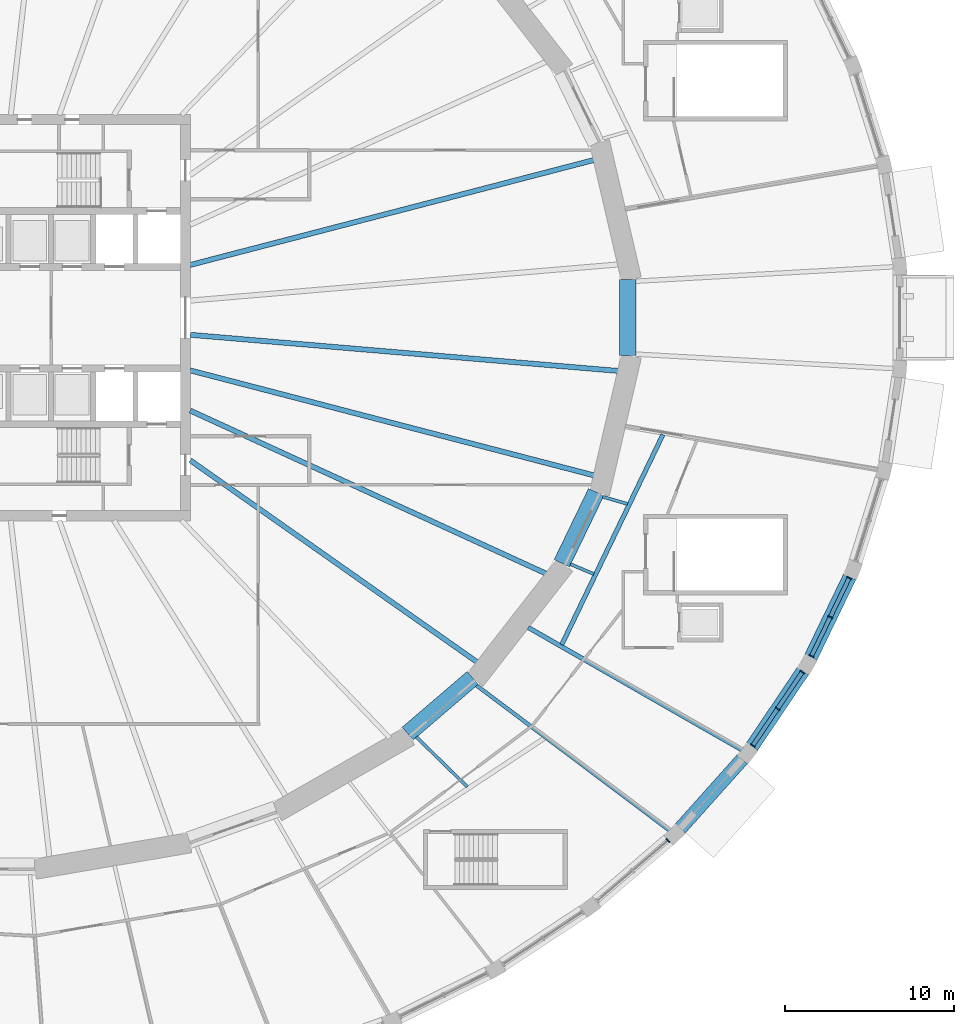
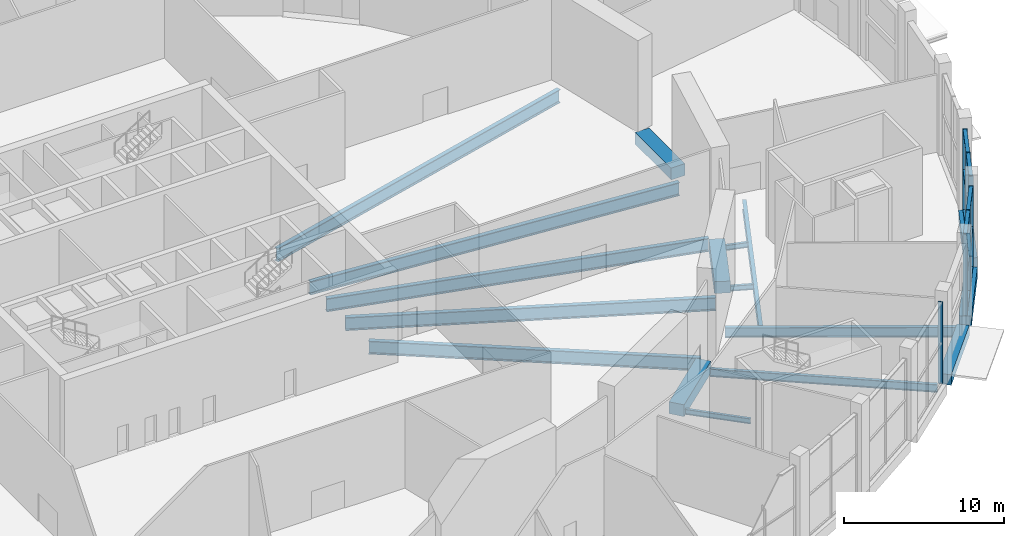
# One storey, part 8 of 33: 19 members, 17 beams, 3 elements without a shape of their own.
"""IFC4 building model written with IfcOpenShell, lengths in metres."""

from ifc_helpers import new_model, si_unit, direction, frame, origin, origin_2d, place, context, subcontext, project, spatial, rectangle, i_section, extrude, material, material_profile, profile_set, type_object, element, aggregate, save


model = new_model("IFC4")

# Units and contexts
model_context = context("Model", 3, precision=1e-05, world=origin(), true_north=direction((0.0, 1.0)))
body_context = subcontext(model_context, "Body", "Model", "MODEL_VIEW")
ifc_project = project(units=[si_unit("LENGTHUNIT", "METRE"), si_unit("AREAUNIT", "SQUARE_METRE"), si_unit("VOLUMEUNIT", "CUBIC_METRE"), si_unit("PLANEANGLEUNIT", "RADIAN"), si_unit("MASSUNIT", "GRAM", prefix="KILO")], contexts=[model_context])

# Site, building, storey
site_placement = place(None, origin())
site = spatial("IfcSite", under=ifc_project, at=site_placement, CompositionType="ELEMENT")
building_placement = place(site_placement, origin())
building = spatial("IfcBuilding", under=site, at=building_placement, Name="Halqa Exchange Tower", CompositionType="ELEMENT")
storey_placement = place(building_placement, origin())
storey = spatial("IfcBuildingStorey", under=building, at=storey_placement, Name="L00", CompositionType="ELEMENT", Elevation=0.0)

# Beams
ifc_material_1 = material(Name="Steel S355", Category="steel")
ifc_material_profile_1 = material_profile(ifc_material_1, i_section(OverallWidth=0.300048828125, OverallDepth=1.0, WebThickness=0.01904296875, FlangeThickness=0.035888671875, FilletRadius=0.030029296875, at=origin_2d()), Name="HEB 1000")
ifc_profile_set_1 = profile_set([ifc_material_profile_1], Name="Steel S355")
beam_type_1 = type_object("IfcBeamType", Name="Floor beam HEB 1000", PredefinedType="BEAM", material=ifc_profile_set_1)
beam_1_placement = place(storey_placement, frame((11.972412109375, -8.421875, -0.949951171875), z_axis=(0.817909911418, -0.575346310325, 0.0), x_axis=(0.575346310325, 0.817909911418, 0.0)))
element("IfcBeam", 1, at=beam_1_placement, inside=storey, type_object=beam_type_1, Name="Radial beam 29", PredefinedType="BEAM", context=body_context, shape_type="SweptSolid", body=[
    extrude(i_section(OverallWidth=0.300048828125, OverallDepth=1.0, WebThickness=0.01904296875, FlangeThickness=0.035888671875, FilletRadius=0.030029296875, at=origin_2d()), origin(), (0.0, 0.0, 1.0), 20.804443359375),
])
beam_2_placement = place(storey_placement, frame((11.972412109375, -5.485107421875, -0.949951171875), z_axis=(0.909128229117, -0.416516341843, 0.0), x_axis=(0.416516341843, 0.909128229117, 0.0)))
element("IfcBeam", 2, at=beam_2_placement, inside=storey, type_object=beam_type_1, Name="Radial beam 30", PredefinedType="BEAM", context=body_context, shape_type="SweptSolid", body=[
    extrude(i_section(OverallWidth=0.300048828125, OverallDepth=1.0, WebThickness=0.01904296875, FlangeThickness=0.035888671875, FilletRadius=0.030029296875, at=origin_2d()), origin(), (0.0, 0.0, 1.0), 23.209228515625),
])
ifc_material_profile_2 = material_profile(ifc_material_1, i_section(OverallWidth=0.302001953125, OverallDepth=1.008056640625, WebThickness=0.02099609375, FlangeThickness=0.0400390625, FilletRadius=0.030029296875, at=origin_2d()), Name="HEM 1000")
ifc_profile_set_2 = profile_set([ifc_material_profile_2], Name="Steel S355")
beam_type_2 = type_object("IfcBeamType", Name="Floor beam HEM 1000", PredefinedType="BEAM", material=ifc_profile_set_2)
for number, where, z_axis, x_axis, name in (
    (3, (11.971435546875, 3.11279296875, -0.9541015625), (0.967821064299, 0.251639399735, 0.0), (-0.251639399735, 0.967821064299, 0.0), "Radial beam 2"),
    (4, (11.971435546875, -3.11279296875, -0.9541015625), (0.967821064299, -0.251639399735, 0.0), (0.251639399735, 0.967821064299, 0.0), "Radial beam 31"),
):
    element("IfcBeam", number, at=place(storey_placement, frame(where, z_axis=z_axis, x_axis=x_axis)), inside=storey, type_object=beam_type_2, Name=name, PredefinedType="BEAM", context=body_context, shape_type="SweptSolid", body=[
        extrude(i_section(OverallWidth=0.302001953125, OverallDepth=1.008056640625, WebThickness=0.02099609375, FlangeThickness=0.0400390625, FilletRadius=0.030029296875, at=origin_2d()), origin(), (0.0, 0.0, 1.0), 24.7314453125),
    ])
beam_3_placement = place(storey_placement, frame((11.972412109375, -1.0107421875, -0.9541015625), z_axis=(0.996455167327, -0.084125498561, 0.0), x_axis=(0.084125498561, 0.996455167327, 0.0)))
element("IfcBeam", 5, at=beam_3_placement, inside=storey, type_object=beam_type_2, Name="Radial beam 32", PredefinedType="BEAM", context=body_context, shape_type="SweptSolid", body=[
    extrude(i_section(OverallWidth=0.302001953125, OverallDepth=1.008056640625, WebThickness=0.02099609375, FlangeThickness=0.0400390625, FilletRadius=0.030029296875, at=origin_2d()), origin(), (0.0, 0.0, 1.0), 25.460205078125),
])
ifc_material_profile_3 = material_profile(ifc_material_1, i_section(OverallWidth=0.179931640625, OverallDepth=0.39990234375, WebThickness=0.008544921875, FlangeThickness=0.013427734375, FilletRadius=0.02099609375, at=origin_2d()), Name="IPE 400")
ifc_profile_set_3 = profile_set([ifc_material_profile_3], Name="Steel S355")
beam_type_3 = type_object("IfcBeamType", Name="Floor beam IPE 400", PredefinedType="BEAM", material=ifc_profile_set_3)
beam_4_placement = place(storey_placement, frame((34.423583984375, -14.555419921875, -0.64990234375), z_axis=(0.921076708702, -0.389381171459, 0.0), x_axis=(0.389381171459, 0.921076708702, 0.0)))
element("IfcBeam", 6, at=beam_4_placement, inside=storey, type_object=beam_type_3, Name="Radial beam 45a", PredefinedType="BEAM", context=body_context, shape_type="SweptSolid", body=[
    extrude(i_section(OverallWidth=0.179931640625, OverallDepth=0.39990234375, WebThickness=0.008544921875, FlangeThickness=0.013427734375, FilletRadius=0.02099609375, at=origin_2d()), origin(), (0.0, 0.0, 1.0), 1.5078125),
])
beam_5_placement = place(storey_placement, frame((36.34521484375, -10.578369140625, -0.64990234375), z_axis=(0.960174163417, -0.279402175917, 0.0), x_axis=(0.279402175917, 0.960174163417, 0.0)))
element("IfcBeam", 7, at=beam_5_placement, inside=storey, type_object=beam_type_3, Name="Radial beam 46a", PredefinedType="BEAM", context=body_context, shape_type="SweptSolid", body=[
    extrude(i_section(OverallWidth=0.179931640625, OverallDepth=0.39990234375, WebThickness=0.008544921875, FlangeThickness=0.013427734375, FilletRadius=0.02099609375, at=origin_2d()), origin(), (0.0, 0.0, 1.0), 1.521240234375),
])
beam_6_placement = place(storey_placement, frame((25.322265625, -24.757080078125, -0.64990234375), z_axis=(0.715007310884, -0.699116975464, 0.0), x_axis=(0.699116975464, 0.715007310884, 0.0)))
element("IfcBeam", 8, at=beam_6_placement, inside=storey, type_object=beam_type_3, Name="Radial beam 42a", PredefinedType="BEAM", context=body_context, shape_type="SweptSolid", body=[
    extrude(i_section(OverallWidth=0.179931640625, OverallDepth=0.39990234375, WebThickness=0.008544921875, FlangeThickness=0.013427734375, FilletRadius=0.02099609375, at=origin_2d()), origin(), (0.0, 0.0, 1.0), 4.22509765625),
])
ifc_material_profile_4 = material_profile(ifc_material_1, i_section(OverallWidth=0.219970703125, OverallDepth=0.60009765625, WebThickness=0.011962890625, FlangeThickness=0.01904296875, FilletRadius=0.02392578125, at=origin_2d()), Name="IPE 600")
ifc_profile_set_4 = profile_set([ifc_material_profile_4], Name="Steel S355")
beam_type_4 = type_object("IfcBeamType", Name="Floor beam IPE 600", PredefinedType="BEAM", material=ifc_profile_set_4)
beam_7_placement = place(storey_placement, frame((28.875732421875, -21.71240234375, -0.75), z_axis=(0.799257291391, -0.600989003359, 0.0), x_axis=(0.600989003359, 0.799257291391, 0.0)))
element("IfcBeam", 9, at=beam_7_placement, inside=storey, type_object=beam_type_4, Name="Radial beam 43", PredefinedType="BEAM", context=body_context, shape_type="SweptSolid", body=[
    extrude(i_section(OverallWidth=0.219970703125, OverallDepth=0.60009765625, WebThickness=0.011962890625, FlangeThickness=0.01904296875, FilletRadius=0.02392578125, at=origin_2d()), origin(), (0.0, 0.0, 1.0), 14.291259765625),
])
ifc_material_profile_5 = material_profile(ifc_material_1, i_section(OverallWidth=0.264892578125, OverallDepth=0.7529296875, WebThickness=0.01318359375, FlangeThickness=0.01708984375, FilletRadius=0.01708984375, at=origin_2d()), Name="IPE 750x147")
ifc_profile_set_5 = profile_set([ifc_material_profile_5], Name="Steel S355")
beam_type_5 = type_object("IfcBeamType", Name="Floor beam IPE 750x147", PredefinedType="BEAM", material=ifc_profile_set_5)
beam_8_placement = place(storey_placement, frame((31.942626953125, -18.300048828125, -0.826416015625), z_axis=(0.867691436398, -0.497103179633, 0.0), x_axis=(0.497103179633, 0.867691436398, 0.0)))
element("IfcBeam", 10, at=beam_8_placement, inside=storey, type_object=beam_type_5, Name="Radial beam 44", PredefinedType="BEAM", context=body_context, shape_type="SweptSolid", body=[
    extrude(i_section(OverallWidth=0.264892578125, OverallDepth=0.7529296875, WebThickness=0.01318359375, FlangeThickness=0.01708984375, FilletRadius=0.01708984375, at=origin_2d()), origin(), (0.0, 0.0, 1.0), 14.555908203125),
])
beam_9_placement = place(storey_placement, frame((33.92041015625, -19.3134765625, -0.826416015625), z_axis=(0.433856142987, 0.900982156978, 0.0), x_axis=(-0.900982156978, 0.433856142987, 0.0)))
element("IfcBeam", 11, at=beam_9_placement, inside=storey, type_object=beam_type_5, Name="Radial beam TSS2-in", PredefinedType="BEAM", context=body_context, shape_type="SweptSolid", body=[
    extrude(i_section(OverallWidth=0.264892578125, OverallDepth=0.7529296875, WebThickness=0.01318359375, FlangeThickness=0.01708984375, FilletRadius=0.01708984375, at=origin_2d()), origin(), (0.0, 0.0, 1.0), 13.766357421875),
])
ifc_material_2 = material(Name="Concrete C60/75", Category="concrete")
ifc_material_profile_6 = material_profile(ifc_material_2, rectangle(XDim=0.800048828125, YDim=0.800048828125, at=origin_2d()), Name="800 x 800")
ifc_profile_set_6 = profile_set([ifc_material_profile_6], Name="Concrete C60/75")
beam_type_6 = type_object("IfcBeamType", Name="RC podium edge beam 800 x 800 C60/75", PredefinedType="SPANDREL", material=ifc_profile_set_6)
beam_10_placement = place(storey_placement, frame((40.914794921875, -30.175048828125, -0.39990234375), z_axis=(0.666902525907, 0.745144966392, 0.0), x_axis=(-0.745144966392, 0.666902525907, 0.0)))
element("IfcBeam", 12, at=beam_10_placement, inside=storey, type_object=beam_type_6, Name="Podium edge beam 43", PredefinedType="SPANDREL", context=body_context, shape_type="SweptSolid", body=[
    extrude(rectangle(XDim=0.800048828125, YDim=0.800048828125, at=origin_2d()), origin(), (0.0, 0.0, 1.0), 5.501220703125),
])
beam_11_placement = place(storey_placement, frame((45.1630859375, -25.331298828125, -0.39990234375), z_axis=(0.558528358221, 0.829485426673, 0.0), x_axis=(-0.829485426673, 0.558528358221, 0.0)))
element("IfcBeam", 13, at=beam_11_placement, inside=storey, type_object=beam_type_6, Name="Podium edge beam 44", PredefinedType="SPANDREL", context=body_context, shape_type="SweptSolid", body=[
    extrude(rectangle(XDim=0.800048828125, YDim=0.800048828125, at=origin_2d()), origin(), (0.0, 0.0, 1.0), 5.378173828125),
])
beam_12_placement = place(storey_placement, frame((48.636962890625, -20.052001953125, -0.39990234375), z_axis=(0.43497328232, 0.9004433595, 0.0), x_axis=(-0.9004433595, 0.43497328232, 0.0)))
element("IfcBeam", 14, at=beam_12_placement, inside=storey, type_object=beam_type_6, Name="Podium edge beam 45", PredefinedType="SPANDREL", context=body_context, shape_type="SweptSolid", body=[
    extrude(rectangle(XDim=0.800048828125, YDim=0.800048828125, at=origin_2d()), origin(), (0.0, 0.0, 1.0), 5.267578125),
])
ifc_material_profile_7 = material_profile(ifc_material_2, rectangle(XDim=1.0, YDim=0.89990234375, at=origin_2d()), Name="1000 x 900")
ifc_profile_set_7 = profile_set([ifc_material_profile_7], Name="Concrete C60/75")
beam_type_7 = type_object("IfcBeamType", Name="RC spandrel beam 1000 x 900 C60/75", PredefinedType="SPANDREL", material=ifc_profile_set_7)
beam_13_placement = place(storey_placement, frame((24.81982421875, -24.56689453125, -0.449951171875), z_axis=(0.759263417999, 0.650783421799, 0.0), x_axis=(-0.650783421799, 0.759263417999, 0.0)))
element("IfcBeam", 15, at=beam_13_placement, inside=storey, type_object=beam_type_7, Name="Spandrel 28", PredefinedType="SPANDREL", context=body_context, shape_type="SweptSolid", body=[
    extrude(rectangle(XDim=1.0, YDim=0.89990234375, at=origin_2d()), origin(), (0.0, 0.0, 1.0), 5.056884765625),
])
beam_14_placement = place(storey_placement, frame((33.923095703125, -14.505615234375, -0.449951171875), z_axis=(0.435068215878, 0.900397494184, 0.0), x_axis=(-0.900397494184, 0.435068215878, 0.0)))
element("IfcBeam", 16, at=beam_14_placement, inside=storey, type_object=beam_type_7, Name="Spandrel 30", PredefinedType="SPANDREL", context=body_context, shape_type="SweptSolid", body=[
    extrude(rectangle(XDim=1.0, YDim=0.89990234375, at=origin_2d()), origin(), (0.0, 0.0, 1.0), 4.6630859375),
])
beam_15_placement = place(storey_placement, frame((37.81689453125, -2.24609375, -0.449951171875), z_axis=(0.0, 1.0, 0.0), x_axis=(-1.0, 0.0, 0.0)))
element("IfcBeam", 17, at=beam_15_placement, inside=storey, type_object=beam_type_7, Name="Spandrel 32", PredefinedType="SPANDREL", context=body_context, shape_type="SweptSolid", body=[
    extrude(rectangle(XDim=1.0, YDim=0.89990234375, at=origin_2d()), origin(), (0.0, 0.0, 1.0), 4.4921875),
])

# Curtain wall, member
ifc_material_3 = material(Name="Anodised aluminium and clear glass", Category="aluminium")
curtain_wall_type = type_object("IfcCurtainWallType", Name="Station concourse glazing", PredefinedType="NOTDEFINED", material=ifc_material_3)
curtain_wall_1_placement = place(storey_placement, origin())
curtain_wall_1 = element("IfcCurtainWall", 18, at=curtain_wall_1_placement, inside=storey, type_object=curtain_wall_type, Name="Station concourse glazing run P42", PredefinedType="NOTDEFINED")
ifc_material_4 = material(Name="Anodised aluminium", Category="aluminium")
ifc_material_profile_8 = material_profile(ifc_material_4, rectangle(XDim=0.300048828125, YDim=0.080078125, at=origin_2d()), Name="AL 80x300")
ifc_profile_set_8 = profile_set([ifc_material_profile_8], Name="Anodised aluminium")
member_type_1 = type_object("IfcMemberType", Name="Station concourse glazing mullion 80 x 300", PredefinedType="MULLION", material=ifc_profile_set_8)
member_1_placement = place(storey_placement, frame((40.189453125, -30.879150390625, 0.0), z_axis=(0.0, 0.0, 1.0), x_axis=(-0.650910929175, 0.759154109704, 0.0)))
member_1 = element("IfcMember", 19, at=member_1_placement, type_object=member_type_1, Name="P42 mullion 3", PredefinedType="MULLION", context=body_context, shape_type="SweptSolid", body=[
    extrude(rectangle(XDim=0.300048828125, YDim=0.080078125, at=origin_2d()), origin(), (0.0, 0.0, 1.0), 6.199951171875),
])
aggregate(curtain_wall_1, [member_1])

# Curtain wall, members
curtain_wall_2_placement = place(storey_placement, origin())
curtain_wall_2 = element("IfcCurtainWall", 20, at=curtain_wall_2_placement, inside=storey, type_object=curtain_wall_type, Name="Station concourse glazing run P44", PredefinedType="NOTDEFINED")
member_2_placement = place(storey_placement, frame((45.200927734375, -25.27490234375, 0.0), z_axis=(0.0, 0.0, 1.0), x_axis=(-0.8294895023, 0.55852230535, 0.0)))
member_2 = element("IfcMember", 21, at=member_2_placement, type_object=member_type_1, Name="P44 mullion 1", PredefinedType="MULLION", context=body_context, shape_type="SweptSolid", body=[
    extrude(rectangle(XDim=0.300048828125, YDim=0.080078125, at=origin_2d()), origin(), (0.0, 0.0, 1.0), 6.199951171875),
])
member_3_placement = place(storey_placement, frame((46.665283203125, -23.100341796875, 0.0), z_axis=(0.0, 0.0, 1.0), x_axis=(-0.8294895023, 0.55852230535, 0.0)))
member_3 = element("IfcMember", 22, at=member_3_placement, type_object=member_type_1, Name="P44 mullion 2", PredefinedType="MULLION", context=body_context, shape_type="SweptSolid", body=[
    extrude(rectangle(XDim=0.300048828125, YDim=0.080078125, at=origin_2d()), origin(), (0.0, 0.0, 1.0), 6.199951171875),
])
member_4_placement = place(storey_placement, frame((48.12939453125, -20.92578125, 0.0), z_axis=(0.0, 0.0, 1.0), x_axis=(-0.8294895023, 0.55852230535, 0.0)))
member_4 = element("IfcMember", 23, at=member_4_placement, type_object=member_type_1, Name="P44 mullion 3", PredefinedType="MULLION", context=body_context, shape_type="SweptSolid", body=[
    extrude(rectangle(XDim=0.300048828125, YDim=0.080078125, at=origin_2d()), origin(), (0.0, 0.0, 1.0), 6.199951171875),
])

curtain_wall_3_placement = place(storey_placement, origin())
curtain_wall_3 = element("IfcCurtainWall", 24, at=curtain_wall_3_placement, inside=storey, type_object=curtain_wall_type, Name="Station concourse glazing run P45", PredefinedType="NOTDEFINED")
member_5_placement = place(storey_placement, frame((48.666015625, -19.99169921875, 0.0), z_axis=(0.0, 0.0, 1.0), x_axis=(-0.90043534892, 0.434989864727, 0.0)))
member_5 = element("IfcMember", 25, at=member_5_placement, type_object=member_type_1, Name="P45 mullion 1", PredefinedType="MULLION", context=body_context, shape_type="SweptSolid", body=[
    extrude(rectangle(XDim=0.300048828125, YDim=0.080078125, at=origin_2d()), origin(), (0.0, 0.0, 1.0), 6.199951171875),
])
member_6_placement = place(storey_placement, frame((49.78271484375, -17.680419921875, 0.0), z_axis=(0.0, 0.0, 1.0), x_axis=(-0.90043534892, 0.434989864727, 0.0)))
member_6 = element("IfcMember", 26, at=member_6_placement, type_object=member_type_1, Name="P45 mullion 2", PredefinedType="MULLION", context=body_context, shape_type="SweptSolid", body=[
    extrude(rectangle(XDim=0.300048828125, YDim=0.080078125, at=origin_2d()), origin(), (0.0, 0.0, 1.0), 6.199951171875),
])
member_7_placement = place(storey_placement, frame((50.8994140625, -15.368896484375, 0.0), z_axis=(0.0, 0.0, 1.0), x_axis=(-0.90043534892, 0.434989864727, 0.0)))
member_7 = element("IfcMember", 27, at=member_7_placement, type_object=member_type_1, Name="P45 mullion 3", PredefinedType="MULLION", context=body_context, shape_type="SweptSolid", body=[
    extrude(rectangle(XDim=0.300048828125, YDim=0.080078125, at=origin_2d()), origin(), (0.0, 0.0, 1.0), 6.199951171875),
])

# Member
ifc_material_profile_9 = material_profile(ifc_material_4, rectangle(XDim=0.25, YDim=0.080078125, at=origin_2d()), Name="AL 80x250")
ifc_profile_set_9 = profile_set([ifc_material_profile_9], Name="Anodised aluminium")
member_type_2 = type_object("IfcMemberType", Name="Station concourse glazing transom 80 x 250", PredefinedType="USERDEFINED", material=ifc_profile_set_9)
member_8_placement = place(storey_placement, frame((45.223388671875, -25.241943359375, 0.0400390625), z_axis=(0.558462812465, 0.829529557697, 0.0), x_axis=(-0.829529557697, 0.558462812465, 0.0)))
member_8 = element("IfcMember", 28, at=member_8_placement, type_object=member_type_2, Name="P44 transom 1.1", ObjectType="TRANSOM", PredefinedType="USERDEFINED", context=body_context, shape_type="SweptSolid", body=[
    extrude(rectangle(XDim=0.25, YDim=0.080078125, at=origin_2d()), origin(), (0.0, 0.0, 1.0), 2.541748046875),
])

member_9_placement = place(storey_placement, frame((45.223388671875, -25.241943359375, 3.10009765625), z_axis=(0.558462812465, 0.829529557697, 0.0), x_axis=(-0.829529557697, 0.558462812465, 0.0)))
member_9 = element("IfcMember", 29, at=member_9_placement, type_object=member_type_2, Name="P44 transom 1.2", ObjectType="TRANSOM", PredefinedType="USERDEFINED", context=body_context, shape_type="SweptSolid", body=[
    extrude(rectangle(XDim=0.25, YDim=0.080078125, at=origin_2d()), origin(), (0.0, 0.0, 1.0), 2.541748046875),
])

member_10_placement = place(storey_placement, frame((45.223388671875, -25.241943359375, 6.159912109375), z_axis=(0.558462812465, 0.829529557697, 0.0), x_axis=(-0.829529557697, 0.558462812465, 0.0)))
member_10 = element("IfcMember", 30, at=member_10_placement, type_object=member_type_2, Name="P44 transom 1.3", ObjectType="TRANSOM", PredefinedType="USERDEFINED", context=body_context, shape_type="SweptSolid", body=[
    extrude(rectangle(XDim=0.25, YDim=0.080078125, at=origin_2d()), origin(), (0.0, 0.0, 1.0), 2.541748046875),
])

member_11_placement = place(storey_placement, frame((46.6875, -23.0673828125, 0.0400390625), z_axis=(0.558528904332, 0.829485058953, 0.0), x_axis=(-0.829485058953, 0.558528904332, 0.0)))
member_11 = element("IfcMember", 31, at=member_11_placement, type_object=member_type_2, Name="P44 transom 2.1", ObjectType="TRANSOM", PredefinedType="USERDEFINED", context=body_context, shape_type="SweptSolid", body=[
    extrude(rectangle(XDim=0.25, YDim=0.080078125, at=origin_2d()), origin(), (0.0, 0.0, 1.0), 2.541748046875),
])

member_12_placement = place(storey_placement, frame((46.6875, -23.0673828125, 3.10009765625), z_axis=(0.558528904332, 0.829485058953, 0.0), x_axis=(-0.829485058953, 0.558528904332, 0.0)))
member_12 = element("IfcMember", 32, at=member_12_placement, type_object=member_type_2, Name="P44 transom 2.2", ObjectType="TRANSOM", PredefinedType="USERDEFINED", context=body_context, shape_type="SweptSolid", body=[
    extrude(rectangle(XDim=0.25, YDim=0.080078125, at=origin_2d()), origin(), (0.0, 0.0, 1.0), 2.541748046875),
])

member_13_placement = place(storey_placement, frame((46.6875, -23.0673828125, 6.159912109375), z_axis=(0.558528904332, 0.829485058953, 0.0), x_axis=(-0.829485058953, 0.558528904332, 0.0)))
member_13 = element("IfcMember", 33, at=member_13_placement, type_object=member_type_2, Name="P44 transom 2.3", ObjectType="TRANSOM", PredefinedType="USERDEFINED", context=body_context, shape_type="SweptSolid", body=[
    extrude(rectangle(XDim=0.25, YDim=0.080078125, at=origin_2d()), origin(), (0.0, 0.0, 1.0), 2.541748046875),
])

aggregate(curtain_wall_2, [member_2, member_3, member_4, member_8, member_9, member_10, member_11, member_12, member_13])

member_14_placement = place(storey_placement, frame((48.683349609375, -19.955810546875, 0.0400390625), z_axis=(0.434960430971, 0.900449567433, 0.0), x_axis=(-0.900449567433, 0.434960430971, 0.0)))
member_14 = element("IfcMember", 34, at=member_14_placement, type_object=member_type_2, Name="P45 transom 1.1", ObjectType="TRANSOM", PredefinedType="USERDEFINED", context=body_context, shape_type="SweptSolid", body=[
    extrude(rectangle(XDim=0.25, YDim=0.080078125, at=origin_2d()), origin(), (0.0, 0.0, 1.0), 2.487060546875),
])

member_15_placement = place(storey_placement, frame((48.683349609375, -19.955810546875, 3.10009765625), z_axis=(0.434960430971, 0.900449567433, 0.0), x_axis=(-0.900449567433, 0.434960430971, 0.0)))
member_15 = element("IfcMember", 35, at=member_15_placement, type_object=member_type_2, Name="P45 transom 1.2", ObjectType="TRANSOM", PredefinedType="USERDEFINED", context=body_context, shape_type="SweptSolid", body=[
    extrude(rectangle(XDim=0.25, YDim=0.080078125, at=origin_2d()), origin(), (0.0, 0.0, 1.0), 2.487060546875),
])

member_16_placement = place(storey_placement, frame((48.683349609375, -19.955810546875, 6.159912109375), z_axis=(0.434960430971, 0.900449567433, 0.0), x_axis=(-0.900449567433, 0.434960430971, 0.0)))
member_16 = element("IfcMember", 36, at=member_16_placement, type_object=member_type_2, Name="P45 transom 1.3", ObjectType="TRANSOM", PredefinedType="USERDEFINED", context=body_context, shape_type="SweptSolid", body=[
    extrude(rectangle(XDim=0.25, YDim=0.080078125, at=origin_2d()), origin(), (0.0, 0.0, 1.0), 2.487060546875),
])

member_17_placement = place(storey_placement, frame((49.800048828125, -17.644287109375, 0.0400390625), z_axis=(0.434960430971, 0.900449567433, 0.0), x_axis=(-0.900449567433, 0.434960430971, 0.0)))
member_17 = element("IfcMember", 37, at=member_17_placement, type_object=member_type_2, Name="P45 transom 2.1", ObjectType="TRANSOM", PredefinedType="USERDEFINED", context=body_context, shape_type="SweptSolid", body=[
    extrude(rectangle(XDim=0.25, YDim=0.080078125, at=origin_2d()), origin(), (0.0, 0.0, 1.0), 2.487060546875),
])

member_18_placement = place(storey_placement, frame((49.800048828125, -17.644287109375, 3.10009765625), z_axis=(0.434960430971, 0.900449567433, 0.0), x_axis=(-0.900449567433, 0.434960430971, 0.0)))
member_18 = element("IfcMember", 38, at=member_18_placement, type_object=member_type_2, Name="P45 transom 2.2", ObjectType="TRANSOM", PredefinedType="USERDEFINED", context=body_context, shape_type="SweptSolid", body=[
    extrude(rectangle(XDim=0.25, YDim=0.080078125, at=origin_2d()), origin(), (0.0, 0.0, 1.0), 2.487060546875),
])

member_19_placement = place(storey_placement, frame((49.800048828125, -17.644287109375, 6.159912109375), z_axis=(0.434960430971, 0.900449567433, 0.0), x_axis=(-0.900449567433, 0.434960430971, 0.0)))
member_19 = element("IfcMember", 39, at=member_19_placement, type_object=member_type_2, Name="P45 transom 2.3", ObjectType="TRANSOM", PredefinedType="USERDEFINED", context=body_context, shape_type="SweptSolid", body=[
    extrude(rectangle(XDim=0.25, YDim=0.080078125, at=origin_2d()), origin(), (0.0, 0.0, 1.0), 2.487060546875),
])

aggregate(curtain_wall_3, [member_5, member_6, member_7, member_14, member_15, member_16, member_17, member_18, member_19])

save(model, "model.ifc")
